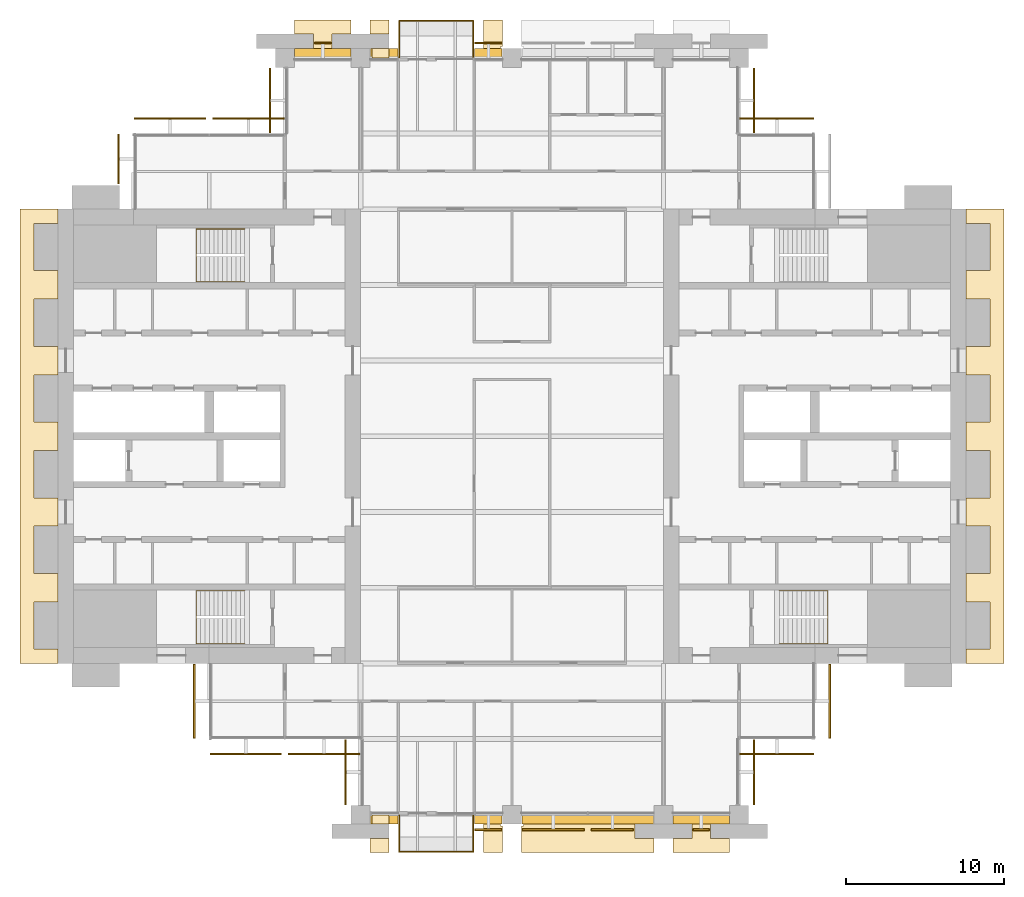
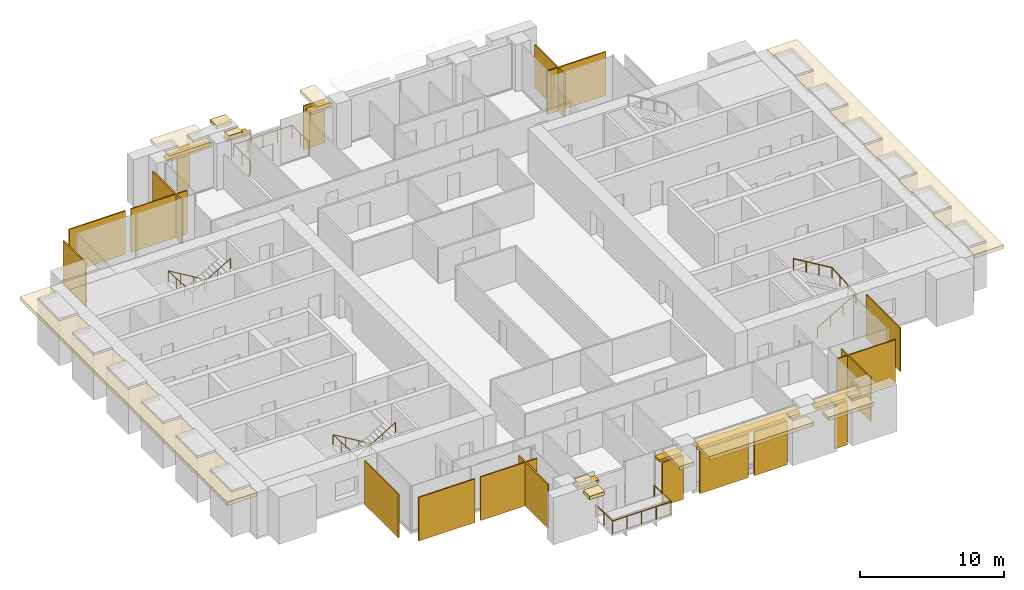
# One storey, part 14 of 15: 30 coverings, 7 shading devices, 5 railings.
"""IFC4 building model written with IfcOpenShell, lengths in metres."""

import ifcopenshell
import ifcopenshell.guid

model = None  # the IFC model being written
_history = None  # IfcOwnerHistory: only IFC2X3 demands one
_inside = {}  # id of a spatial element -> (the spatial element, [elements in it])
_under = {}  # id of a project, library or spatial element -> (it, [spatial elements below it])
_declared = {}  # id of a project -> (the project, [libraries it declares])
_typed = {}  # id of a type object -> (the type object, [elements of that type])
_made_of = {}  # id of a material, layer set ... -> (it, [elements and type objects made of it])


def new_model(schema):
    """Start an empty IFC model of exactly this schema.

    Asked for "IFC4X3", IfcOpenShell would pick the latest addendum, in which some entities
    have other attributes; the version numbers below select the first issue.
    IFC2X3 requires an IfcOwnerHistory on every rooted entity: one is made here for all.
    """
    global model, _history
    if schema == "IFC4X3":
        model = ifcopenshell.file(schema_version=(4, 3, 0, 0))
    else:
        model = ifcopenshell.file(schema=schema)
    _inside.clear()
    _under.clear()
    _declared.clear()
    _typed.clear()
    _made_of.clear()
    _history = None
    if model.schema == "IFC2X3":
        org = make("IfcOrganization", Name="unknown")
        user = make(
            "IfcPersonAndOrganization",
            ThePerson=make("IfcPerson", FamilyName="unknown"),
            TheOrganization=org,
        )
        app = make(
            "IfcApplication",
            ApplicationDeveloper=org,
            Version="unknown",
            ApplicationFullName="unknown",
            ApplicationIdentifier="unknown",
        )
        _history = make(
            "IfcOwnerHistory",
            OwningUser=user,
            OwningApplication=app,
            ChangeAction="ADDED",
            CreationDate=0,
        )
    return model


def make(cls, **values):
    """One entity of the class cls with the attributes given. An attribute that is None is left unset."""
    return model.create_entity(
        cls, **{name: value for name, value in values.items() if value is not None}
    )


def rooted(cls, **values):
    """An entity with a GlobalId (a new one), such as an element, a storey or a relation."""
    return make(cls, GlobalId=ifcopenshell.guid.new(), OwnerHistory=_history, **values)


def si_unit(unit_type, name, prefix=None):
    """IfcSIUnit, for example si_unit("LENGTHUNIT", "METRE", prefix="MILLI")."""
    return make("IfcSIUnit", UnitType=unit_type, Prefix=prefix, Name=name)


def assignment(units):
    """IfcUnitAssignment: the units of a project."""
    return None if units is None else make("IfcUnitAssignment", Units=units)


def point(xyz):
    """IfcCartesianPoint."""
    return None if xyz is None else make("IfcCartesianPoint", Coordinates=xyz)


def direction(xyz):
    """IfcDirection."""
    return None if xyz is None else make("IfcDirection", DirectionRatios=xyz)


def frame(location, z_axis=None, x_axis=None):
    """IfcAxis2Placement3D, a coordinate frame: its origin and axes. An axis left out is left unset."""
    return make(
        "IfcAxis2Placement3D",
        Location=point(location),
        Axis=direction(z_axis),
        RefDirection=direction(x_axis),
    )


def frame_2d(location, x_axis=None):
    """IfcAxis2Placement2D, a coordinate frame in the plane: its origin and x axis."""
    return make(
        "IfcAxis2Placement2D", Location=point(location), RefDirection=direction(x_axis)
    )


def origin():
    """The frame at (0, 0, 0) with its axes left unset."""
    return frame((0.0, 0.0, 0.0))


def origin_2d():
    """The frame at (0, 0) in the plane with its x axis left unset."""
    return frame_2d((0.0, 0.0))


def place(relative_to, where):
    """IfcLocalPlacement: puts the frame where relative to a parent placement (None: the world)."""
    return make(
        "IfcLocalPlacement", PlacementRelTo=relative_to, RelativePlacement=where
    )


def context(
    kind, dimensions, precision=None, world=None, true_north=None, identifier=None
):
    """IfcGeometricRepresentationContext, for example the 3D "Model" context."""
    return make(
        "IfcGeometricRepresentationContext",
        ContextIdentifier=identifier,
        ContextType=kind,
        CoordinateSpaceDimension=dimensions,
        Precision=precision,
        WorldCoordinateSystem=world,
        TrueNorth=true_north,
    )


def subcontext(parent, identifier, kind, view, scale=None):
    """IfcGeometricRepresentationSubContext, for example "Body" below "Model"."""
    return make(
        "IfcGeometricRepresentationSubContext",
        ContextIdentifier=identifier,
        ContextType=kind,
        ParentContext=parent,
        TargetScale=scale,
        TargetView=view,
    )


def project(units=None, contexts=None):
    """IfcProject with its units and contexts."""
    return rooted(
        "IfcProject",
        Name="project",
        RepresentationContexts=contexts,
        UnitsInContext=assignment(units),
    )


def spatial(cls, under=None, at=None, **own):
    """A site, building, storey or space (cls), placed at a placement, below another one or the project."""
    s = rooted(cls, ObjectPlacement=at, **own)
    if under is not None:
        _under.setdefault(under.id(), (under, []))[1].append(s)
    return s


def polyline(points):
    """IfcPolyline through the points."""
    return make("IfcPolyline", Points=[point(p) for p in points])


def profile(cls, at=None, kind="AREA", **sizes):
    """A parametric profile (cls). Its sizes go by their IFC names, for example OverallWidth=200.0."""
    return make(cls, ProfileType=kind, Position=at, **sizes)


def rectangle(**sizes):
    """IfcRectangleProfileDef."""
    return profile("IfcRectangleProfileDef", **sizes)


def circle(**sizes):
    """IfcCircleProfileDef."""
    return profile("IfcCircleProfileDef", **sizes)


def outline(outer, holes=None, kind="AREA"):
    """IfcArbitraryClosedProfileDef: a profile drawn as a closed curve; with holes, ...WithVoids."""
    if holes is None:
        return make("IfcArbitraryClosedProfileDef", ProfileType=kind, OuterCurve=outer)
    return make(
        "IfcArbitraryProfileDefWithVoids",
        ProfileType=kind,
        OuterCurve=outer,
        InnerCurves=holes,
    )


def extrude(swept, where, along, depth):
    """IfcExtrudedAreaSolid: the profile swept, set in the frame where, extruded along a direction by depth."""
    return make(
        "IfcExtrudedAreaSolid",
        SweptArea=swept,
        Position=where,
        ExtrudedDirection=direction(along),
        Depth=depth,
    )


def shape(context_of_items, identifier, shape_type, items):
    """IfcShapeRepresentation: the items that make up one representation, for example the "Body"."""
    return make(
        "IfcShapeRepresentation",
        ContextOfItems=context_of_items,
        RepresentationIdentifier=identifier,
        RepresentationType=shape_type,
        Items=items,
    )


def material(Name=None, Category=None):
    """IfcMaterial."""
    return make("IfcMaterial", Name=Name, Category=Category)


def layer(
    of_material, thickness, ventilated=None, Name=None, Category=None, Priority=None
):
    """IfcMaterialLayer: one layer of a wall or slab, of a material (None: an air gap)."""
    return make(
        "IfcMaterialLayer",
        Material=of_material,
        LayerThickness=thickness,
        IsVentilated=ventilated,
        Name=Name,
        Category=Category,
        Priority=Priority,
    )


def layer_set(layers, Name=None):
    """IfcMaterialLayerSet."""
    return make("IfcMaterialLayerSet", MaterialLayers=layers, LayerSetName=Name)


def made_of(thing, what):
    """Note that an element or type object is made of a material, layer set ...; save() writes the relation."""
    if what is not None:
        _made_of.setdefault(what.id(), (what, []))[1].append(thing)
    return thing


def type_object(cls, material=None, **own):
    """A type object (cls), such as IfcWallType, which elements share."""
    return made_of(rooted(cls, **own), material)


def element(
    cls,
    number,
    at=None,
    inside=None,
    cuts=None,
    type_object=None,
    material=None,
    context=None,
    identifier="Body",
    shape_type=None,
    held_by="IfcProductDefinitionShape",
    body=None,
    shapes=None,
    **own,
):
    """One element of the class cls, such as IfcWall. Its Tag is "e" and its number.

    at: its placement. inside: the storey or other place that contains it. cuts: it is an
    opening in that element (IfcRelVoidsElement). A single representation is given by context,
    identifier, shape_type and body (its items); several are given by shapes. held_by: the class
    of the entity that holds the representations. save() writes the other relations.
    """
    e = rooted(cls, Tag="e%d" % number, ObjectPlacement=at, **own)
    if body is not None:
        shapes = [shape(context, identifier, shape_type, body)]
    if shapes is not None:
        e.Representation = make(held_by, Representations=shapes)
    if inside is not None:
        _inside.setdefault(inside.id(), (inside, []))[1].append(e)
    if cuts is not None:
        rooted(
            "IfcRelVoidsElement", RelatingBuildingElement=cuts, RelatedOpeningElement=e
        )
    if type_object is not None:
        _typed.setdefault(type_object.id(), (type_object, []))[1].append(e)
    return made_of(e, material)


def aggregate(whole, parts):
    """IfcRelAggregates: a whole, such as a stair, and the parts it consists of."""
    return rooted("IfcRelAggregates", RelatingObject=whole, RelatedObjects=parts)


def save(model, path):
    """Write the relations noted so far, then the file.

    IfcRelAggregates (storeys below a building ...), IfcRelContainedInSpatialStructure (elements
    in a storey), IfcRelDefinesByType, IfcRelAssociatesMaterial and IfcRelDeclares: one each for
    every whole, place, type object, material and project.
    """
    for whole, parts in _under.values():
        aggregate(whole, parts)
    for where, things in _inside.values():
        rooted(
            "IfcRelContainedInSpatialStructure",
            RelatedElements=things,
            RelatingStructure=where,
        )
    for kind, things in _typed.values():
        rooted("IfcRelDefinesByType", RelatedObjects=things, RelatingType=kind)
    for what, things in _made_of.values():
        rooted("IfcRelAssociatesMaterial", RelatedObjects=things, RelatingMaterial=what)
    for by, libraries in _declared.values():
        rooted("IfcRelDeclares", RelatingContext=by, RelatedDefinitions=libraries)
    model.write(path)


model = new_model("IFC4")

# Units and contexts
model_context = context("Model", 3, precision=1e-05, world=origin(), true_north=direction((0.0, 1.0)))
body_context = subcontext(model_context, "Body", "Model", "MODEL_VIEW")
ifc_project = project(units=[si_unit("LENGTHUNIT", "METRE"), si_unit("AREAUNIT", "SQUARE_METRE"), si_unit("VOLUMEUNIT", "CUBIC_METRE"), si_unit("PLANEANGLEUNIT", "RADIAN"), si_unit("MASSUNIT", "GRAM", prefix="KILO")], contexts=[model_context])

# Site, building, storey
site_placement = place(None, origin())
site = spatial("IfcSite", under=ifc_project, at=site_placement, CompositionType="ELEMENT")
building_placement = place(site_placement, origin())
building = spatial("IfcBuilding", under=site, at=building_placement, Name="Baori Bourse Tower", CompositionType="ELEMENT")
storey_placement = place(building_placement, frame((0.0, 0.0, 152.10009765625)))
storey = spatial("IfcBuildingStorey", under=building, at=storey_placement, Name="L33", CompositionType="ELEMENT", Elevation=152.10009765625)

# Coverings
ifc_material_1 = material(Name="Pale anodised aluminium", Category="aluminium")
covering_type_1 = type_object("IfcCoveringType", Name="BD1 Pale metal band", PredefinedType="CLADDING", material=ifc_material_1)
covering_1_placement = place(storey_placement, frame((0.0, 0.0, 3.539794921875)))
element("IfcCovering", 1, at=covering_1_placement, inside=storey, type_object=covering_type_1, Name="Pale projecting band L33 1", PredefinedType="CLADDING", context=body_context, shape_type="SweptSolid", body=[
    extrude(outline(polyline([(57.60009765625, 10.5), (57.60009765625, 9.60009765625), (60.0, 9.60009765625), (60.0, 38.39990234375), (57.60009765625, 38.39990234375), (57.60009765625, 37.5), (59.10009765625, 37.5), (59.10009765625, 34.5), (57.60009765625, 34.5), (57.60009765625, 32.699951171875), (59.10009765625, 32.699951171875), (59.10009765625, 29.699951171875), (57.60009765625, 29.699951171875), (57.60009765625, 27.89990234375), (59.10009765625, 27.89990234375), (59.10009765625, 24.89990234375), (57.60009765625, 24.89990234375), (57.60009765625, 23.10009765625), (59.10009765625, 23.10009765625), (59.10009765625, 20.10009765625), (57.60009765625, 20.10009765625), (57.60009765625, 18.300048828125), (59.10009765625, 18.300048828125), (59.10009765625, 15.300048828125), (57.60009765625, 15.300048828125), (57.60009765625, 13.5), (59.10009765625, 13.5), (59.10009765625, 10.5), (57.60009765625, 10.5)])), origin(), (0.0, 0.0, 1.0), 0.300048828125),
])
covering_2_placement = place(storey_placement, frame((0.0, 0.0, 3.539794921875)))
element("IfcCovering", 2, at=covering_2_placement, inside=storey, type_object=covering_type_1, Name="Pale projecting band L33 4", PredefinedType="CLADDING", context=body_context, shape_type="SweptSolid", body=[
    extrude(outline(polyline([(27.0, 48.0), (28.080078125, 48.0), (28.080078125, 48.719970703125), (28.199951171875, 48.719970703125), (28.199951171875, 50.39990234375), (27.0, 50.39990234375), (27.0, 48.0)])), origin(), (0.0, 0.0, 1.0), 0.300048828125),
])
covering_3_placement = place(storey_placement, frame((0.0, 0.0, 3.539794921875)))
element("IfcCovering", 3, at=covering_3_placement, inside=storey, type_object=covering_type_1, Name="Pale projecting band L33 5", PredefinedType="CLADDING", context=body_context, shape_type="SweptSolid", body=[
    extrude(outline(polyline([(19.800048828125, 50.39990234375), (19.800048828125, 49.5), (21.0, 49.5), (21.0, 50.39990234375), (19.800048828125, 50.39990234375)])), origin(), (0.0, 0.0, 1.0), 0.300048828125),
])
covering_4_placement = place(storey_placement, frame((0.0, 0.0, 3.539794921875)))
element("IfcCovering", 4, at=covering_4_placement, inside=storey, type_object=covering_type_1, Name="Pale projecting band L33 6", PredefinedType="CLADDING", context=body_context, shape_type="SweptSolid", body=[
    extrude(outline(polyline([(19.919921875, 48.0), (21.0, 48.0), (21.0, 48.60009765625), (19.919921875, 48.60009765625), (19.919921875, 48.0)])), origin(), (0.0, 0.0, 1.0), 0.300048828125),
])
covering_5_placement = place(storey_placement, frame((0.0, 0.0, 3.539794921875)))
element("IfcCovering", 5, at=covering_5_placement, inside=storey, type_object=covering_type_1, Name="Pale projecting band L33 7", PredefinedType="CLADDING", context=body_context, shape_type="SweptSolid", body=[
    extrude(outline(polyline([(15.1201171875, 48.0), (18.47998046875, 48.0), (18.47998046875, 48.60009765625), (17.39990234375, 48.60009765625), (17.39990234375, 49.5), (18.60009765625, 49.5), (18.60009765625, 50.39990234375), (15.0, 50.39990234375), (15.0, 49.5), (16.199951171875, 49.5), (16.199951171875, 48.60009765625), (15.1201171875, 48.60009765625), (15.1201171875, 48.0)])), origin(), (0.0, 0.0, 1.0), 0.300048828125),
])
covering_6_placement = place(storey_placement, frame((0.0, 0.0, 3.539794921875)))
element("IfcCovering", 6, at=covering_6_placement, inside=storey, type_object=covering_type_1, Name="Pale projecting band L33 8", PredefinedType="CLADDING", context=body_context, shape_type="SweptSolid", body=[
    extrude(outline(polyline([(0.0, 37.5), (0.0, 38.39990234375), (-2.39990234375, 38.39990234375), (-2.39990234375, 9.60009765625), (0.0, 9.60009765625), (0.0, 10.5), (-1.5, 10.5), (-1.5, 13.5), (0.0, 13.5), (0.0, 15.300048828125), (-1.5, 15.300048828125), (-1.5, 18.300048828125), (0.0, 18.300048828125), (0.0, 20.10009765625), (-1.5, 20.10009765625), (-1.5, 23.10009765625), (0.0, 23.10009765625), (0.0, 24.89990234375), (-1.5, 24.89990234375), (-1.5, 27.89990234375), (0.0, 27.89990234375), (0.0, 29.699951171875), (-1.5, 29.699951171875), (-1.5, 32.699951171875), (0.0, 32.699951171875), (0.0, 34.5), (-1.5, 34.5), (-1.5, 37.5), (0.0, 37.5)])), origin(), (0.0, 0.0, 1.0), 0.300048828125),
])
covering_7_placement = place(storey_placement, frame((0.0, 0.0, 3.539794921875)))
element("IfcCovering", 7, at=covering_7_placement, inside=storey, type_object=covering_type_1, Name="Pale projecting band L33 9", PredefinedType="CLADDING", context=body_context, shape_type="SweptSolid", body=[
    extrude(outline(polyline([(19.800048828125, -2.39990234375), (21.0, -2.39990234375), (21.0, -1.5), (19.800048828125, -1.5), (19.800048828125, -2.39990234375)])), origin(), (0.0, 0.0, 1.0), 0.300048828125),
])
covering_8_placement = place(storey_placement, frame((0.0, 0.0, 3.539794921875)))
element("IfcCovering", 8, at=covering_8_placement, inside=storey, type_object=covering_type_1, Name="Pale projecting band L33 10", PredefinedType="CLADDING", context=body_context, shape_type="SweptSolid", body=[
    extrude(outline(polyline([(21.0, 0.0), (19.919921875, 0.0), (19.919921875, -0.60009765625), (21.0, -0.60009765625), (21.0, 0.0)])), origin(), (0.0, 0.0, 1.0), 0.300048828125),
])
covering_9_placement = place(storey_placement, frame((0.0, 0.0, 3.539794921875)))
element("IfcCovering", 9, at=covering_9_placement, inside=storey, type_object=covering_type_1, Name="Pale projecting band L33 11", PredefinedType="CLADDING", context=body_context, shape_type="SweptSolid", body=[
    extrude(outline(polyline([(28.080078125, 0.0), (27.0, 0.0), (27.0, -2.39990234375), (28.199951171875, -2.39990234375), (28.199951171875, -0.719970703125), (28.080078125, -0.719970703125), (28.080078125, 0.0)])), origin(), (0.0, 0.0, 1.0), 0.300048828125),
])
covering_10_placement = place(storey_placement, frame((0.0, 0.0, 3.539794921875)))
element("IfcCovering", 10, at=covering_10_placement, inside=storey, type_object=covering_type_1, Name="Pale projecting band L33 12", PredefinedType="CLADDING", context=body_context, shape_type="SweptSolid", body=[
    extrude(outline(polyline([(37.679931640625, 0.0), (29.52001953125, 0.0), (29.52001953125, -0.719970703125), (29.39990234375, -0.719970703125), (29.39990234375, -2.39990234375), (37.800048828125, -2.39990234375), (37.800048828125, -1.5), (36.60009765625, -1.5), (36.60009765625, -0.60009765625), (37.679931640625, -0.60009765625), (37.679931640625, 0.0)])), origin(), (0.0, 0.0, 1.0), 0.300048828125),
])
covering_11_placement = place(storey_placement, frame((0.0, 0.0, 3.539794921875)))
element("IfcCovering", 11, at=covering_11_placement, inside=storey, type_object=covering_type_1, Name="Pale projecting band L33 13", PredefinedType="CLADDING", context=body_context, shape_type="SweptSolid", body=[
    extrude(outline(polyline([(42.47998046875, 0.0), (39.1201171875, 0.0), (39.1201171875, -0.60009765625), (40.199951171875, -0.60009765625), (40.199951171875, -1.5), (39.0, -1.5), (39.0, -2.39990234375), (42.60009765625, -2.39990234375), (42.60009765625, -1.5), (41.39990234375, -1.5), (41.39990234375, -0.60009765625), (42.47998046875, -0.60009765625), (42.47998046875, 0.0)])), origin(), (0.0, 0.0, 1.0), 0.300048828125),
])

# Shading devices
ifc_material_2 = material(Name="Concrete f'c 40 MPa", Category="concrete")
ifc_layer_1 = layer(ifc_material_2, 0.199951171875)
ifc_layer_set_1 = layer_set([ifc_layer_1], Name="BS1 Brise-soleil ledge")
shading_device_type = type_object("IfcShadingDeviceType", Name="BS1 Brise-soleil ledge", PredefinedType="USERDEFINED", material=ifc_layer_set_1)
for number, where, z_axis, x_axis, name in (
    (12, (27.300048828125, 48.300048828125, 3.33984375), (0.0, 0.0, 1.0), (-1.0, 0.0, 0.0), "Brise-soleil ledge L33 3"),
    (13, (20.699951171875, 48.300048828125, 3.33984375), (0.0, 0.0, 1.0), (-1.0, 0.0, 0.0), "Brise-soleil ledge L33 4"),
):
    element("IfcShadingDevice", number, at=place(storey_placement, frame(where, z_axis=z_axis, x_axis=x_axis)), inside=storey, type_object=shading_device_type, Name=name, ObjectType="BRISE SOLEIL", PredefinedType="USERDEFINED", context=body_context, shape_type="SweptSolid", body=[
        extrude(rectangle(XDim=1.760009765625, YDim=0.60009765625, at=origin_2d()), origin(), (0.0, 0.0, 1.0), 0.199951171875),
    ])
shading_device_1_placement = place(storey_placement, frame((16.800048828125, 48.300048828125, 3.33984375), z_axis=(0.0, 0.0, 1.0), x_axis=(-1.0, 0.0, 0.0)))
element("IfcShadingDevice", 14, at=shading_device_1_placement, inside=storey, type_object=shading_device_type, Name="Brise-soleil ledge L33 5", ObjectType="BRISE SOLEIL", PredefinedType="USERDEFINED", context=body_context, shape_type="SweptSolid", body=[
    extrude(rectangle(XDim=3.56005859375, YDim=0.60009765625, at=origin_2d()), origin(), (0.0, 0.0, 1.0), 0.199951171875),
])
for number, where, z_axis, x_axis, name in (
    (15, (20.699951171875, -0.300048828125, 3.33984375), (0.0, 0.0, 1.0), (1.0, 0.0, 0.0), "Brise-soleil ledge L33 6"),
    (16, (27.300048828125, -0.300048828125, 3.33984375), (0.0, 0.0, 1.0), (1.0, 0.0, 0.0), "Brise-soleil ledge L33 7"),
):
    element("IfcShadingDevice", number, at=place(storey_placement, frame(where, z_axis=z_axis, x_axis=x_axis)), inside=storey, type_object=shading_device_type, Name=name, ObjectType="BRISE SOLEIL", PredefinedType="USERDEFINED", context=body_context, shape_type="SweptSolid", body=[
        extrude(rectangle(XDim=1.760009765625, YDim=0.60009765625, at=origin_2d()), origin(), (0.0, 0.0, 1.0), 0.199951171875),
    ])
shading_device_2_placement = place(storey_placement, frame((33.60009765625, -0.300048828125, 3.33984375), z_axis=(0.0, 0.0, 1.0), x_axis=(1.0, 0.0, 0.0)))
element("IfcShadingDevice", 17, at=shading_device_2_placement, inside=storey, type_object=shading_device_type, Name="Brise-soleil ledge L33 8", ObjectType="BRISE SOLEIL", PredefinedType="USERDEFINED", context=body_context, shape_type="SweptSolid", body=[
    extrude(rectangle(XDim=8.360107421875, YDim=0.60009765625, at=origin_2d()), origin(), (0.0, 0.0, 1.0), 0.199951171875),
])
shading_device_3_placement = place(storey_placement, frame((40.800048828125, -0.300048828125, 3.33984375), z_axis=(0.0, 0.0, 1.0), x_axis=(1.0, 0.0, 0.0)))
element("IfcShadingDevice", 18, at=shading_device_3_placement, inside=storey, type_object=shading_device_type, Name="Brise-soleil ledge L33 9", ObjectType="BRISE SOLEIL", PredefinedType="USERDEFINED", context=body_context, shape_type="SweptSolid", body=[
    extrude(rectangle(XDim=3.56005859375, YDim=0.60009765625, at=origin_2d()), origin(), (0.0, 0.0, 1.0), 0.199951171875),
])

# Railings
ifc_material_3 = material(Name="Powder-coated steel balustrade", Category="steel")
railing_type_1 = type_object("IfcRailingType", Name="Core stair handrail", PredefinedType="HANDRAIL", material=ifc_material_3)
railing_1_placement = place(storey_placement, frame((11.85009765625, 14.199951171875, 0.16650390625)))
element("IfcRailing", 19, at=railing_1_placement, inside=storey, type_object=railing_type_1, Name="L33 ST1 stair handrail 1", PredefinedType="HANDRAIL", context=body_context, shape_type="SweptSolid", body=[
    extrude(circle(Radius=0.02392578125, at=origin_2d()), frame((0.0, 0.0, 0.8759765625), z_axis=(-0.85927862911, 0.0, 0.511507807912), x_axis=(0.0, -1.0, 0.0)), (0.0, 0.0, 1.0), 3.58447265625),
    extrude(circle(Radius=0.02392578125, at=origin_2d()), frame((-3.080078125, 0.0, 2.70947265625), z_axis=(0.0, -0.998766999029, 0.049643545903), x_axis=(1.0, 0.0, 0.0)), (0.0, 0.0, 1.0), 3.35400390625),
    extrude(circle(Radius=0.02392578125, at=origin_2d()), frame((-3.080078125, -3.349853515625, 2.8759765625), z_axis=(0.85927862911, 0.0, 0.511507807912), x_axis=(0.0, 1.0, 0.0)), (0.0, 0.0, 1.0), 3.58447265625),
    extrude(circle(Radius=0.02099609375, at=origin_2d()), origin(), (0.0, 0.0, 1.0), 0.851806640625),
    extrude(circle(Radius=0.02099609375, at=origin_2d()), frame((-1.026611328125, 0.0, 0.611083984375)), (0.0, 0.0, 1.0), 0.851806640625),
    extrude(circle(Radius=0.02099609375, at=origin_2d()), frame((-2.053466796875, 0.0, 1.222412109375)), (0.0, 0.0, 1.0), 0.851806640625),
    extrude(circle(Radius=0.02099609375, at=origin_2d()), frame((-3.080078125, 0.0, 1.83349609375)), (0.0, 0.0, 1.0), 0.851806640625),
    extrude(circle(Radius=0.02099609375, at=origin_2d()), frame((-3.080078125, -1.11669921875, 1.888916015625)), (0.0, 0.0, 1.0), 0.851806640625),
    extrude(circle(Radius=0.02099609375, at=origin_2d()), frame((-3.080078125, -2.233154296875, 1.944580078125)), (0.0, 0.0, 1.0), 0.851806640625),
    extrude(circle(Radius=0.02099609375, at=origin_2d()), frame((-3.080078125, -3.349853515625, 2.0)), (0.0, 0.0, 1.0), 0.851806640625),
    extrude(circle(Radius=0.02099609375, at=origin_2d()), frame((-2.053466796875, -3.349853515625, 2.611083984375)), (0.0, 0.0, 1.0), 0.851806640625),
    extrude(circle(Radius=0.02099609375, at=origin_2d()), frame((-1.026611328125, -3.349853515625, 3.222412109375)), (0.0, 0.0, 1.0), 0.851806640625),
    extrude(circle(Radius=0.02099609375, at=origin_2d()), frame((0.0, -3.349853515625, 3.83349609375)), (0.0, 0.0, 1.0), 0.851806640625),
])
railing_2_placement = place(storey_placement, frame((11.85009765625, 37.14990234375, 0.16650390625)))
element("IfcRailing", 20, at=railing_2_placement, inside=storey, type_object=railing_type_1, Name="L33 ST2 stair handrail 1", PredefinedType="HANDRAIL", context=body_context, shape_type="SweptSolid", body=[
    extrude(circle(Radius=0.02392578125, at=origin_2d()), frame((0.0, 0.0, 0.8759765625), z_axis=(-0.85927862911, 0.0, 0.511507807912), x_axis=(0.0, -1.0, 0.0)), (0.0, 0.0, 1.0), 3.58447265625),
    extrude(circle(Radius=0.02392578125, at=origin_2d()), frame((-3.080078125, 0.0, 2.70947265625), z_axis=(0.0, -0.998766999029, 0.049643545903), x_axis=(1.0, 0.0, 0.0)), (0.0, 0.0, 1.0), 3.35400390625),
    extrude(circle(Radius=0.02392578125, at=origin_2d()), frame((-3.080078125, -3.349853515625, 2.8759765625), z_axis=(0.85927862911, 0.0, 0.511507807912), x_axis=(0.0, 1.0, 0.0)), (0.0, 0.0, 1.0), 3.58447265625),
    extrude(circle(Radius=0.02099609375, at=origin_2d()), origin(), (0.0, 0.0, 1.0), 0.851806640625),
    extrude(circle(Radius=0.02099609375, at=origin_2d()), frame((-1.026611328125, 0.0, 0.611083984375)), (0.0, 0.0, 1.0), 0.851806640625),
    extrude(circle(Radius=0.02099609375, at=origin_2d()), frame((-2.053466796875, 0.0, 1.222412109375)), (0.0, 0.0, 1.0), 0.851806640625),
    extrude(circle(Radius=0.02099609375, at=origin_2d()), frame((-3.080078125, 0.0, 1.83349609375)), (0.0, 0.0, 1.0), 0.851806640625),
    extrude(circle(Radius=0.02099609375, at=origin_2d()), frame((-3.080078125, -1.11669921875, 1.888916015625)), (0.0, 0.0, 1.0), 0.851806640625),
    extrude(circle(Radius=0.02099609375, at=origin_2d()), frame((-3.080078125, -2.233154296875, 1.944580078125)), (0.0, 0.0, 1.0), 0.851806640625),
    extrude(circle(Radius=0.02099609375, at=origin_2d()), frame((-3.080078125, -3.349853515625, 2.0)), (0.0, 0.0, 1.0), 0.851806640625),
    extrude(circle(Radius=0.02099609375, at=origin_2d()), frame((-2.053466796875, -3.349853515625, 2.611083984375)), (0.0, 0.0, 1.0), 0.851806640625),
    extrude(circle(Radius=0.02099609375, at=origin_2d()), frame((-1.026611328125, -3.349853515625, 3.222412109375)), (0.0, 0.0, 1.0), 0.851806640625),
    extrude(circle(Radius=0.02099609375, at=origin_2d()), frame((0.0, -3.349853515625, 3.83349609375)), (0.0, 0.0, 1.0), 0.851806640625),
])
railing_3_placement = place(storey_placement, frame((45.75, 10.85009765625, 0.16650390625)))
element("IfcRailing", 21, at=railing_3_placement, inside=storey, type_object=railing_type_1, Name="L33 ST3 stair handrail 1", PredefinedType="HANDRAIL", context=body_context, shape_type="SweptSolid", body=[
    extrude(circle(Radius=0.02392578125, at=origin_2d()), frame((0.0, 0.0, 0.8759765625), z_axis=(0.85927862911, 0.0, 0.511507807912), x_axis=(0.0, 1.0, 0.0)), (0.0, 0.0, 1.0), 3.58447265625),
    extrude(circle(Radius=0.02392578125, at=origin_2d()), frame((3.080078125, 0.0, 2.70947265625), z_axis=(0.0, 0.998766999029, 0.049643545903), x_axis=(-1.0, 0.0, 0.0)), (0.0, 0.0, 1.0), 3.35400390625),
    extrude(circle(Radius=0.02392578125, at=origin_2d()), frame((3.080078125, 3.349853515625, 2.8759765625), z_axis=(-0.85927862911, 0.0, 0.511507807912), x_axis=(0.0, -1.0, 0.0)), (0.0, 0.0, 1.0), 3.58447265625),
    extrude(circle(Radius=0.02099609375, at=origin_2d()), origin(), (0.0, 0.0, 1.0), 0.851806640625),
    extrude(circle(Radius=0.02099609375, at=origin_2d()), frame((1.026611328125, 0.0, 0.611083984375)), (0.0, 0.0, 1.0), 0.851806640625),
    extrude(circle(Radius=0.02099609375, at=origin_2d()), frame((2.053466796875, 0.0, 1.222412109375)), (0.0, 0.0, 1.0), 0.851806640625),
    extrude(circle(Radius=0.02099609375, at=origin_2d()), frame((3.080078125, 0.0, 1.83349609375)), (0.0, 0.0, 1.0), 0.851806640625),
    extrude(circle(Radius=0.02099609375, at=origin_2d()), frame((3.080078125, 1.11669921875, 1.888916015625)), (0.0, 0.0, 1.0), 0.851806640625),
    extrude(circle(Radius=0.02099609375, at=origin_2d()), frame((3.080078125, 2.233154296875, 1.944580078125)), (0.0, 0.0, 1.0), 0.851806640625),
    extrude(circle(Radius=0.02099609375, at=origin_2d()), frame((3.080078125, 3.349853515625, 2.0)), (0.0, 0.0, 1.0), 0.851806640625),
    extrude(circle(Radius=0.02099609375, at=origin_2d()), frame((2.053466796875, 3.349853515625, 2.611083984375)), (0.0, 0.0, 1.0), 0.851806640625),
    extrude(circle(Radius=0.02099609375, at=origin_2d()), frame((1.026611328125, 3.349853515625, 3.222412109375)), (0.0, 0.0, 1.0), 0.851806640625),
    extrude(circle(Radius=0.02099609375, at=origin_2d()), frame((0.0, 3.349853515625, 3.83349609375)), (0.0, 0.0, 1.0), 0.851806640625),
])
ifc_material_4 = material(Name="Stainless steel", Category="steel")
railing_type_2 = type_object("IfcRailingType", Name="GD1 Guard", PredefinedType="GUARDRAIL", material=ifc_material_4)
railing_4_placement = place(storey_placement, frame((21.64990234375, -0.030029296875, 0.0)))
element("IfcRailing", 22, at=railing_4_placement, inside=storey, type_object=railing_type_2, Name="Guard balcony S L33 1", PredefinedType="GUARDRAIL", context=body_context, shape_type="SweptSolid", body=[
    extrude(circle(Radius=0.02392578125, at=origin_2d()), frame((0.0, 0.0, 1.076171875), z_axis=(0.0, -1.0, 0.0), x_axis=(1.0, 0.0, 0.0)), (0.0, 0.0, 1.0), 2.320068359375),
    extrude(circle(Radius=0.02392578125, at=origin_2d()), frame((0.0, -2.320068359375, 1.076171875), z_axis=(1.0, 0.0, 0.0), x_axis=(0.0, 1.0, 0.0)), (0.0, 0.0, 1.0), 4.7001953125),
    extrude(circle(Radius=0.02392578125, at=origin_2d()), frame((4.7001953125, -2.320068359375, 1.076171875), z_axis=(0.0, 1.0, 0.0), x_axis=(-1.0, 0.0, 0.0)), (0.0, 0.0, 1.0), 2.320068359375),
    extrude(circle(Radius=0.02099609375, at=origin_2d()), origin(), (0.0, 0.0, 1.0), 1.052001953125),
    extrude(circle(Radius=0.02099609375, at=origin_2d()), frame((0.0, -1.16015625, 0.0)), (0.0, 0.0, 1.0), 1.052001953125),
    extrude(circle(Radius=0.02099609375, at=origin_2d()), frame((0.0, -2.320068359375, 0.0)), (0.0, 0.0, 1.0), 1.052001953125),
    extrude(circle(Radius=0.02099609375, at=origin_2d()), frame((1.175048828125, -2.320068359375, 0.0)), (0.0, 0.0, 1.0), 1.052001953125),
    extrude(circle(Radius=0.02099609375, at=origin_2d()), frame((2.35009765625, -2.320068359375, 0.0)), (0.0, 0.0, 1.0), 1.052001953125),
    extrude(circle(Radius=0.02099609375, at=origin_2d()), frame((3.525146484375, -2.320068359375, 0.0)), (0.0, 0.0, 1.0), 1.052001953125),
    extrude(circle(Radius=0.02099609375, at=origin_2d()), frame((4.7001953125, -2.320068359375, 0.0)), (0.0, 0.0, 1.0), 1.052001953125),
    extrude(circle(Radius=0.02099609375, at=origin_2d()), frame((4.7001953125, -1.16015625, 0.0)), (0.0, 0.0, 1.0), 1.052001953125),
    extrude(circle(Radius=0.02099609375, at=origin_2d()), frame((4.7001953125, 0.0, 0.0)), (0.0, 0.0, 1.0), 1.052001953125),
])
railing_5_placement = place(storey_placement, frame((21.64990234375, 48.030029296875, 0.0)))
element("IfcRailing", 23, at=railing_5_placement, inside=storey, type_object=railing_type_2, Name="Guard balcony N L33 2", PredefinedType="GUARDRAIL", context=body_context, shape_type="SweptSolid", body=[
    extrude(circle(Radius=0.02392578125, at=origin_2d()), frame((0.0, 0.0, 1.076171875), z_axis=(0.0, 1.0, 0.0), x_axis=(-1.0, 0.0, 0.0)), (0.0, 0.0, 1.0), 2.320068359375),
    extrude(circle(Radius=0.02392578125, at=origin_2d()), frame((0.0, 2.320068359375, 1.076171875), z_axis=(1.0, 0.0, 0.0), x_axis=(0.0, 1.0, 0.0)), (0.0, 0.0, 1.0), 4.7001953125),
    extrude(circle(Radius=0.02392578125, at=origin_2d()), frame((4.7001953125, 2.320068359375, 1.076171875), z_axis=(0.0, -1.0, 0.0), x_axis=(1.0, 0.0, 0.0)), (0.0, 0.0, 1.0), 2.320068359375),
    extrude(circle(Radius=0.02099609375, at=origin_2d()), origin(), (0.0, 0.0, 1.0), 1.052001953125),
    extrude(circle(Radius=0.02099609375, at=origin_2d()), frame((0.0, 1.16015625, 0.0)), (0.0, 0.0, 1.0), 1.052001953125),
    extrude(circle(Radius=0.02099609375, at=origin_2d()), frame((0.0, 2.320068359375, 0.0)), (0.0, 0.0, 1.0), 1.052001953125),
    extrude(circle(Radius=0.02099609375, at=origin_2d()), frame((1.175048828125, 2.320068359375, 0.0)), (0.0, 0.0, 1.0), 1.052001953125),
    extrude(circle(Radius=0.02099609375, at=origin_2d()), frame((2.35009765625, 2.320068359375, 0.0)), (0.0, 0.0, 1.0), 1.052001953125),
    extrude(circle(Radius=0.02099609375, at=origin_2d()), frame((3.525146484375, 2.320068359375, 0.0)), (0.0, 0.0, 1.0), 1.052001953125),
    extrude(circle(Radius=0.02099609375, at=origin_2d()), frame((4.7001953125, 2.320068359375, 0.0)), (0.0, 0.0, 1.0), 1.052001953125),
    extrude(circle(Radius=0.02099609375, at=origin_2d()), frame((4.7001953125, 1.16015625, 0.0)), (0.0, 0.0, 1.0), 1.052001953125),
    extrude(circle(Radius=0.02099609375, at=origin_2d()), frame((4.7001953125, 0.0, 0.0)), (0.0, 0.0, 1.0), 1.052001953125),
])

# Coverings
ifc_material_5 = material(Name="Pale anodised aluminium", Category="aluminium")
ifc_layer_2 = layer(ifc_material_5, 0.10009765625)
ifc_layer_set_2 = layer_set([ifc_layer_2], Name="OS3 Outer skin screen panel")
covering_type_2 = type_object("IfcCoveringType", Name="OS3 Outer skin screen panel", PredefinedType="CLADDING", material=ifc_layer_set_2)
covering_12_placement = place(storey_placement, frame((0.0, 0.0, -0.16015625)))
element("IfcCovering", 24, at=covering_12_placement, inside=storey, type_object=covering_type_2, Name="Outer skin screen L33 2", PredefinedType="CLADDING", context=body_context, shape_type="SweptSolid", body=[
    extrude(outline(polyline([(43.25, 44.10009765625), (47.949951171875, 44.10009765625), (47.949951171875, 44.199951171875), (43.25, 44.199951171875), (43.25, 44.10009765625)])), origin(), (0.0, 0.0, 1.0), 3.699951171875),
])
covering_13_placement = place(storey_placement, frame((0.0, 0.0, -0.16015625)))
element("IfcCovering", 25, at=covering_13_placement, inside=storey, type_object=covering_type_2, Name="Outer skin screen L33 3", PredefinedType="CLADDING", context=body_context, shape_type="SweptSolid", body=[
    extrude(outline(polyline([(44.10009765625, 47.35009765625), (44.10009765625, 43.25), (44.199951171875, 43.25), (44.199951171875, 47.35009765625), (44.10009765625, 47.35009765625)])), origin(), (0.0, 0.0, 1.0), 3.699951171875),
])
covering_14_placement = place(storey_placement, frame((0.0, 0.0, -0.16015625)))
element("IfcCovering", 26, at=covering_14_placement, inside=storey, type_object=covering_type_2, Name="Outer skin screen L33 7", PredefinedType="CLADDING", context=body_context, shape_type="SweptSolid", body=[
    extrude(outline(polyline([(26.449951171875, 48.89990234375), (28.14990234375, 48.89990234375), (28.14990234375, 49.0), (26.449951171875, 49.0), (26.449951171875, 48.89990234375)])), origin(), (0.0, 0.0, 1.0), 3.699951171875),
])
covering_15_placement = place(storey_placement, frame((0.0, 0.0, -0.16015625)))
element("IfcCovering", 27, at=covering_15_placement, inside=storey, type_object=covering_type_2, Name="Outer skin screen L33 8", PredefinedType="CLADDING", context=body_context, shape_type="SweptSolid", body=[
    extrude(outline(polyline([(16.300048828125, 48.89990234375), (17.300048828125, 48.89990234375), (17.300048828125, 49.0), (16.300048828125, 49.0), (16.300048828125, 48.89990234375)])), origin(), (0.0, 0.0, 1.0), 3.699951171875),
])
covering_16_placement = place(storey_placement, frame((0.0, 0.0, -0.16015625)))
element("IfcCovering", 28, at=covering_16_placement, inside=storey, type_object=covering_type_2, Name="Outer skin screen L33 9", PredefinedType="CLADDING", context=body_context, shape_type="SweptSolid", body=[
    extrude(outline(polyline([(13.5, 43.25), (13.5, 47.35009765625), (13.39990234375, 47.35009765625), (13.39990234375, 43.25), (13.5, 43.25)])), origin(), (0.0, 0.0, 1.0), 3.699951171875),
])
covering_17_placement = place(storey_placement, frame((0.0, 0.0, -0.16015625)))
element("IfcCovering", 29, at=covering_17_placement, inside=storey, type_object=covering_type_2, Name="Outer skin screen L33 10", PredefinedType="CLADDING", context=body_context, shape_type="SweptSolid", body=[
    extrude(outline(polyline([(9.824951171875, 44.10009765625), (14.35009765625, 44.10009765625), (14.35009765625, 44.199951171875), (9.824951171875, 44.199951171875), (9.824951171875, 44.10009765625)])), origin(), (0.0, 0.0, 1.0), 3.699951171875),
])
covering_18_placement = place(storey_placement, frame((0.0, 0.0, -0.16015625)))
element("IfcCovering", 30, at=covering_18_placement, inside=storey, type_object=covering_type_2, Name="Outer skin screen L33 11", PredefinedType="CLADDING", context=body_context, shape_type="SweptSolid", body=[
    extrude(outline(polyline([(4.85009765625, 44.10009765625), (9.375, 44.10009765625), (9.375, 44.199951171875), (4.85009765625, 44.199951171875), (4.85009765625, 44.10009765625)])), origin(), (0.0, 0.0, 1.0), 3.699951171875),
])
covering_19_placement = place(storey_placement, frame((0.0, 0.0, -0.16015625)))
element("IfcCovering", 31, at=covering_19_placement, inside=storey, type_object=covering_type_2, Name="Outer skin screen L33 12", PredefinedType="CLADDING", context=body_context, shape_type="SweptSolid", body=[
    extrude(outline(polyline([(3.89990234375, 40.0), (3.89990234375, 43.14990234375), (3.800048828125, 43.14990234375), (3.800048828125, 40.0), (3.89990234375, 40.0), (3.89990234375, 40.0)])), origin(), (0.0, 0.0, 1.0), 3.699951171875),
])
covering_20_placement = place(storey_placement, frame((0.0, 0.0, -0.16015625)))
element("IfcCovering", 32, at=covering_20_placement, inside=storey, type_object=covering_type_2, Name="Outer skin screen L33 13", PredefinedType="CLADDING", context=body_context, shape_type="SweptSolid", body=[
    extrude(outline(polyline([(8.699951171875, 4.85009765625), (8.699951171875, 9.550048828125), (8.60009765625, 9.550048828125), (8.60009765625, 4.85009765625), (8.699951171875, 4.85009765625)])), origin(), (0.0, 0.0, 1.0), 3.699951171875),
])
covering_21_placement = place(storey_placement, frame((0.0, 0.0, -0.16015625)))
element("IfcCovering", 33, at=covering_21_placement, inside=storey, type_object=covering_type_2, Name="Outer skin screen L33 14", PredefinedType="CLADDING", context=body_context, shape_type="SweptSolid", body=[
    extrude(outline(polyline([(14.175048828125, 3.89990234375), (9.64990234375, 3.89990234375), (9.64990234375, 3.800048828125), (14.175048828125, 3.800048828125), (14.175048828125, 3.89990234375)])), origin(), (0.0, 0.0, 1.0), 3.699951171875),
])
covering_22_placement = place(storey_placement, frame((0.0, 0.0, -0.16015625)))
element("IfcCovering", 34, at=covering_22_placement, inside=storey, type_object=covering_type_2, Name="Outer skin screen L33 15", PredefinedType="CLADDING", context=body_context, shape_type="SweptSolid", body=[
    extrude(outline(polyline([(19.14990234375, 3.89990234375), (14.625, 3.89990234375), (14.625, 3.800048828125), (19.14990234375, 3.800048828125), (19.14990234375, 3.89990234375)])), origin(), (0.0, 0.0, 1.0), 3.699951171875),
])
covering_23_placement = place(storey_placement, frame((0.0, 0.0, -0.16015625)))
element("IfcCovering", 35, at=covering_23_placement, inside=storey, type_object=covering_type_2, Name="Outer skin screen L33 16", PredefinedType="CLADDING", context=body_context, shape_type="SweptSolid", body=[
    extrude(outline(polyline([(18.300048828125, 0.64990234375), (18.300048828125, 4.75), (18.199951171875, 4.75), (18.199951171875, 0.64990234375), (18.300048828125, 0.64990234375)])), origin(), (0.0, 0.0, 1.0), 3.699951171875),
])
covering_24_placement = place(storey_placement, frame((0.0, 0.0, -0.16015625)))
element("IfcCovering", 36, at=covering_24_placement, inside=storey, type_object=covering_type_2, Name="Outer skin screen L33 17", PredefinedType="CLADDING", context=body_context, shape_type="SweptSolid", body=[
    extrude(outline(polyline([(28.14990234375, -0.89990234375), (26.449951171875, -0.89990234375), (26.449951171875, -1.0), (28.14990234375, -1.0), (28.14990234375, -0.89990234375)])), origin(), (0.0, 0.0, 1.0), 3.699951171875),
])
covering_25_placement = place(storey_placement, frame((0.0, 0.0, -0.16015625)))
element("IfcCovering", 37, at=covering_25_placement, inside=storey, type_object=covering_type_2, Name="Outer skin screen L33 18", PredefinedType="CLADDING", context=body_context, shape_type="SweptSolid", body=[
    extrude(outline(polyline([(33.375, -0.89990234375), (29.449951171875, -0.89990234375), (29.449951171875, -1.0), (33.375, -1.0), (33.375, -0.89990234375)])), origin(), (0.0, 0.0, 1.0), 3.699951171875),
])
covering_26_placement = place(storey_placement, frame((0.0, 0.0, -0.16015625)))
element("IfcCovering", 38, at=covering_26_placement, inside=storey, type_object=covering_type_2, Name="Outer skin screen L33 19", PredefinedType="CLADDING", context=body_context, shape_type="SweptSolid", body=[
    extrude(outline(polyline([(36.5, -0.89990234375), (33.824951171875, -0.89990234375), (33.824951171875, -1.0), (36.5, -1.0), (36.5, -0.89990234375)])), origin(), (0.0, 0.0, 1.0), 3.699951171875),
])
covering_27_placement = place(storey_placement, frame((0.0, 0.0, -0.16015625)))
element("IfcCovering", 39, at=covering_27_placement, inside=storey, type_object=covering_type_2, Name="Outer skin screen L33 20", PredefinedType="CLADDING", context=body_context, shape_type="SweptSolid", body=[
    extrude(outline(polyline([(41.300048828125, -0.89990234375), (40.300048828125, -0.89990234375), (40.300048828125, -1.0), (41.300048828125, -1.0), (41.300048828125, -0.89990234375)])), origin(), (0.0, 0.0, 1.0), 3.699951171875),
])
covering_28_placement = place(storey_placement, frame((0.0, 0.0, -0.16015625)))
element("IfcCovering", 40, at=covering_28_placement, inside=storey, type_object=covering_type_2, Name="Outer skin screen L33 21", PredefinedType="CLADDING", context=body_context, shape_type="SweptSolid", body=[
    extrude(outline(polyline([(44.10009765625, 4.75), (44.10009765625, 0.64990234375), (44.199951171875, 0.64990234375), (44.199951171875, 4.75), (44.10009765625, 4.75)])), origin(), (0.0, 0.0, 1.0), 3.699951171875),
])
covering_29_placement = place(storey_placement, frame((0.0, 0.0, -0.16015625)))
element("IfcCovering", 41, at=covering_29_placement, inside=storey, type_object=covering_type_2, Name="Outer skin screen L33 22", PredefinedType="CLADDING", context=body_context, shape_type="SweptSolid", body=[
    extrude(outline(polyline([(47.949951171875, 3.89990234375), (43.25, 3.89990234375), (43.25, 3.800048828125), (47.949951171875, 3.800048828125), (47.949951171875, 3.89990234375)])), origin(), (0.0, 0.0, 1.0), 3.699951171875),
])
covering_30_placement = place(storey_placement, frame((0.0, 0.0, -0.16015625)))
element("IfcCovering", 42, at=covering_30_placement, inside=storey, type_object=covering_type_2, Name="Outer skin screen L33 23", PredefinedType="CLADDING", context=body_context, shape_type="SweptSolid", body=[
    extrude(outline(polyline([(48.89990234375, 9.550048828125), (48.89990234375, 4.85009765625), (49.0, 4.85009765625), (49.0, 9.550048828125), (48.89990234375, 9.550048828125)])), origin(), (0.0, 0.0, 1.0), 3.699951171875),
])

save(model, "model.ifc")
